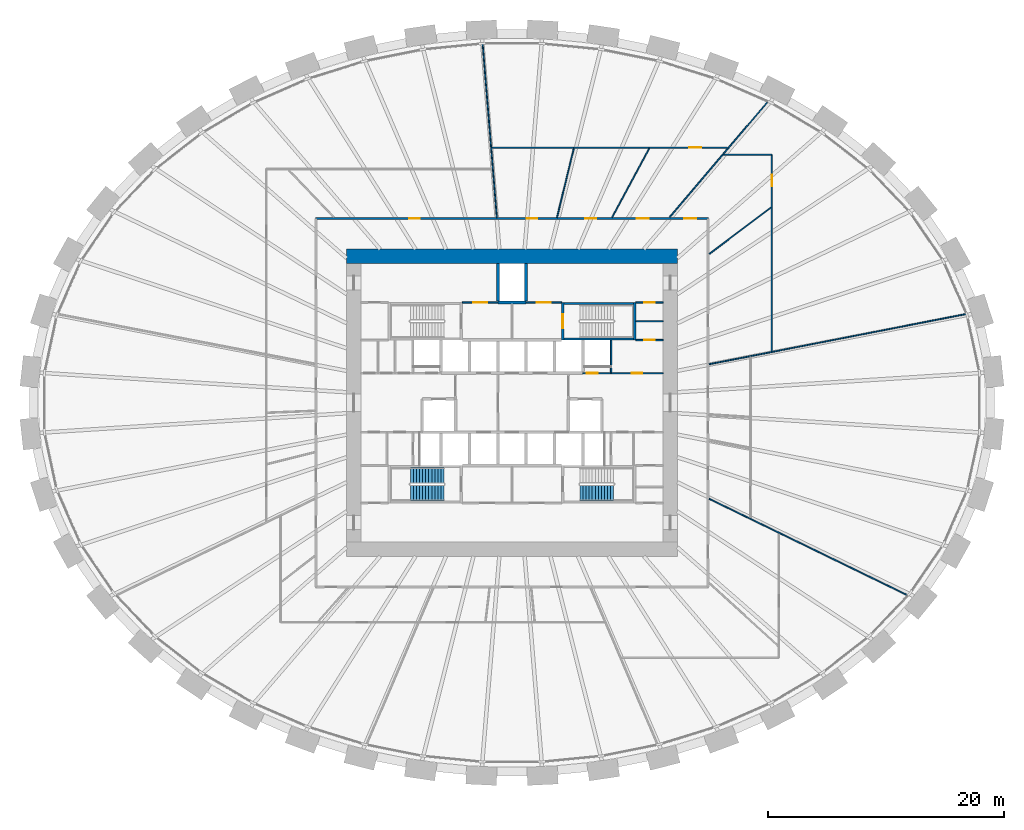
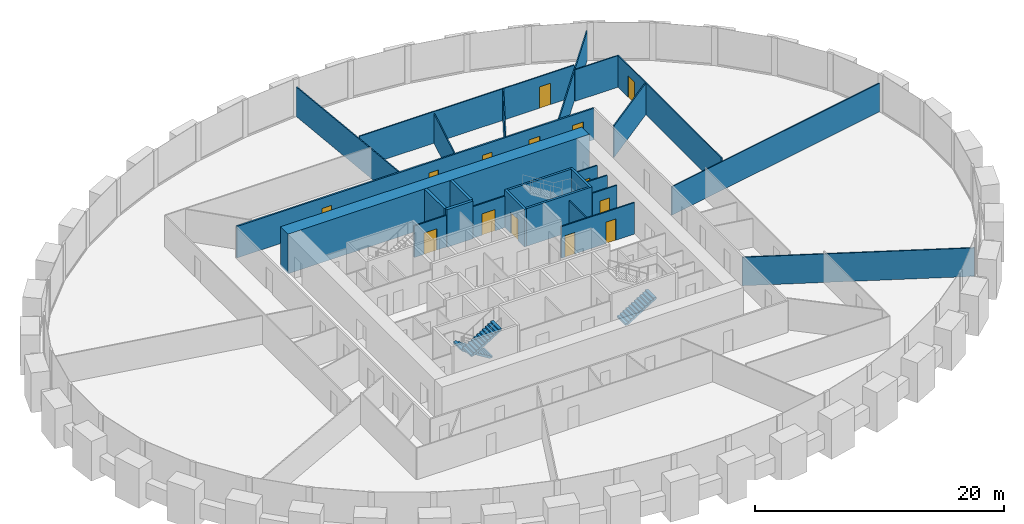
# One storey, part 9 of 11: 26 walls, 14 doors, 3 stair flights, 14 openings, 2 elements without a shape of their own.
"""IFC4 building model written with IfcOpenShell, lengths in metres."""

from ifc_helpers import new_model, si_unit, direction, frame, frame_2d, origin, place, context, subcontext, project, spatial, polyline, rectangle, outline, extrude, source, transform, mapped, material, layer, layer_set, type_object, element, fill, aggregate, save


model = new_model("IFC4")

# Units and contexts
model_context = context("Model", 3, precision=1e-05, world=origin(), true_north=direction((0.0, 1.0)))
body_context = subcontext(model_context, "Body", "Model", "MODEL_VIEW")
ifc_project = project(units=[si_unit("LENGTHUNIT", "METRE"), si_unit("AREAUNIT", "SQUARE_METRE"), si_unit("VOLUMEUNIT", "CUBIC_METRE"), si_unit("PLANEANGLEUNIT", "RADIAN"), si_unit("MASSUNIT", "GRAM", prefix="KILO")], contexts=[model_context])

# Site, building, storey
site_placement = place(None, origin())
site = spatial("IfcSite", under=ifc_project, at=site_placement, CompositionType="ELEMENT")
building_placement = place(site_placement, origin())
building = spatial("IfcBuilding", under=site, at=building_placement, Name="Embergate Tower", CompositionType="ELEMENT")
storey_placement = place(building_placement, frame((0.0, 0.0, 69.800048828125)))
storey = spatial("IfcBuildingStorey", under=building, at=storey_placement, Name="L13", CompositionType="ELEMENT", Elevation=69.800048828125)

# Walls
ifc_material_1 = material(Name="Concrete C80", Category="concrete")
ifc_layer_1 = layer(ifc_material_1, 1.199951171875)
ifc_layer_set_1 = layer_set([ifc_layer_1], Name="Concrete C80")
wall_type_1 = type_object("IfcWallType", Name="Core outer wall C80 1200", PredefinedType="SHEAR", material=ifc_layer_set_1)
shared_shape_1 = source(origin(), body_context, "Body", "SweptSolid", [
    extrude(rectangle(XDim=28.0, YDim=1.199951171875, at=frame_2d((14.0, 0.0))), origin(), (0.0, 0.0, 1.0), 3.89990234375),
])
wall_1_placement = place(storey_placement, frame((-14.0, 12.39990234375, -0.199951171875), z_axis=(0.0, 0.0, 1.0), x_axis=(1.0, 0.0, 0.0)))
element("IfcWall", 1, at=wall_1_placement, inside=storey, type_object=wall_type_1, Name="CW-L13-N", PredefinedType="SHEAR", context=body_context, shape_type="MappedRepresentation", body=[
    mapped(shared_shape_1, transform((0.0, 0.0, 0.0))),
])
ifc_material_2 = material(Name="Concrete C50", Category="concrete")
ifc_layer_2 = layer(ifc_material_2, 0.199951171875)
ifc_layer_set_2 = layer_set([ifc_layer_2], Name="Concrete C50")
wall_type_2 = type_object("IfcWallType", Name="Stair enclosure wall reinforced concrete 250", PredefinedType="SHEAR", material=ifc_layer_set_2)
shared_shape_2 = source(origin(), body_context, "Body", "SweptSolid", [
    extrude(rectangle(XDim=6.300048828125, YDim=0.199951171875, at=frame_2d((3.14990234375, 0.0))), origin(), (0.0, 0.0, 1.0), 3.699951171875),
])
for number, where, z_axis, x_axis, name in (
    (2, (10.5, 5.39990234375, 0.0), (0.0, 0.0, 1.0), (-1.0, 0.0, 0.0), "SE-1 wall"),
    (3, (10.5, 8.39990234375, 0.0), (0.0, 0.0, 1.0), (-1.0, 0.0, 0.0), "SE-1 wall"),
):
    element("IfcWall", number, at=place(storey_placement, frame(where, z_axis=z_axis, x_axis=x_axis)), inside=storey, type_object=wall_type_2, Name=name, PredefinedType="SHEAR", context=body_context, shape_type="MappedRepresentation", body=[
        mapped(shared_shape_2, transform((0.0, 0.0, 0.0))),
    ])

# Wall, opening, door
shared_shape_3 = source(origin(), body_context, "Body", "SweptSolid", [
    extrude(rectangle(XDim=3.199951171875, YDim=0.199951171875, at=frame_2d((1.60009765625, 0.0))), origin(), (0.0, 0.0, 1.0), 3.699951171875),
])
wall_2_placement = place(storey_placement, frame((4.300048828125, 8.5, 0.0), z_axis=(0.0, 0.0, 1.0), x_axis=(0.0, -1.0, 0.0)))
wall_2 = element("IfcWall", 4, at=wall_2_placement, inside=storey, type_object=wall_type_2, Name="SE-1 wall", PredefinedType="SHEAR", context=body_context, shape_type="MappedRepresentation", body=[
    mapped(shared_shape_3, transform((0.0, 0.0, 0.0))),
])
shared_shape_4 = source(origin(), body_context, "Body", "SweptSolid", [
    extrude(rectangle(XDim=1.199951171875, YDim=2.10009765625, at=frame_2d((0.60009765625, 1.050048828125))), frame((0.0, 0.10986328125, 0.0), z_axis=(0.0, -1.0, 0.0), x_axis=(1.0, 0.0, 0.0)), (0.0, 0.0, 1.0), 0.219970703125),
])
opening_1_placement = place(wall_2_placement, frame((1.0, 0.0, 0.0)))
opening_1 = element("IfcOpeningElement", 5, at=opening_1_placement, cuts=wall_2, Name="Opening IF-2", PredefinedType="OPENING", context=body_context, shape_type="MappedRepresentation", body=[
    mapped(shared_shape_4, transform((0.0, 0.0, 0.0))),
])
ifc_material_3 = material(Name="Stair enclosure door 1200")
door_type_1 = type_object("IfcDoorType", Name="Stair enclosure door 1200", OperationType="SINGLE_SWING_LEFT", PredefinedType="DOOR", material=ifc_material_3)
shared_shape_5 = source(origin(), body_context, "Body", "SweptSolid", [
    extrude(rectangle(XDim=1.199951171875, YDim=2.10009765625, at=frame_2d((0.60009765625, 1.050048828125))), frame((0.0, 0.02490234375, 0.0), z_axis=(0.0, -1.0, 0.0), x_axis=(1.0, 0.0, 0.0)), (0.0, 0.0, 1.0), 0.050048828125),
])
door_1_placement = place(opening_1_placement, origin())
door_1 = element("IfcDoor", 6, at=door_1_placement, inside=storey, type_object=door_type_1, Name="IF-2 door", OperationType="SINGLE_SWING_RIGHT", OverallHeight=2.10009765625, OverallWidth=1.199951171875, PredefinedType="DOOR", context=body_context, shape_type="MappedRepresentation", body=[
    mapped(shared_shape_5, transform((0.0, 0.0, 0.0))),
])
fill(opening_1, door_1)

# Walls
wall_3_placement = place(storey_placement, frame((10.39990234375, 5.300048828125, 0.0), z_axis=(0.0, 0.0, 1.0), x_axis=(0.0, 1.0, 0.0)))
element("IfcWall", 7, at=wall_3_placement, inside=storey, type_object=wall_type_2, Name="SE-1 wall", PredefinedType="SHEAR", context=body_context, shape_type="MappedRepresentation", body=[
    mapped(shared_shape_3, transform((0.0, 0.0, 0.0))),
])
ifc_layer_3 = layer(ifc_material_2, 0.25)
ifc_layer_set_3 = layer_set([ifc_layer_3], Name="Concrete C50")
wall_type_3 = type_object("IfcWallType", Name="Hoistway wall reinforced concrete 250", PredefinedType="SHEAR", material=ifc_layer_set_3)
shared_shape_6 = source(origin(), body_context, "Body", "SweptSolid", [
    extrude(rectangle(XDim=2.39990234375, YDim=0.25, at=frame_2d((1.199951171875, 0.0))), origin(), (0.0, 0.0, 1.0), 3.699951171875),
])
wall_4_placement = place(storey_placement, frame((1.199951171875, 8.5, 0.0), z_axis=(0.0, 0.0, 1.0), x_axis=(-1.0, 0.0, 0.0)))
element("IfcWall", 8, at=wall_4_placement, inside=storey, type_object=wall_type_3, Name="HW-1 wall", PredefinedType="SHEAR", context=body_context, shape_type="MappedRepresentation", body=[
    mapped(shared_shape_6, transform((0.0, 0.0, 0.0))),
])
shared_shape_7 = source(origin(), body_context, "Body", "SweptSolid", [
    extrude(rectangle(XDim=3.175048828125, YDim=0.25, at=frame_2d((1.58740234375, 0.0))), origin(), (0.0, 0.0, 1.0), 3.699951171875),
])
for number, where, z_axis, x_axis, name in (
    (9, (-1.199951171875, 8.625, 0.0), (0.0, 0.0, 1.0), (0.0, 1.0, 0.0), "HW-1 wall"),
    (10, (1.199951171875, 11.800048828125, 0.0), (0.0, 0.0, 1.0), (0.0, -1.0, 0.0), "HW-1 wall"),
):
    element("IfcWall", number, at=place(storey_placement, frame(where, z_axis=z_axis, x_axis=x_axis)), inside=storey, type_object=wall_type_3, Name=name, PredefinedType="SHEAR", context=body_context, shape_type="MappedRepresentation", body=[
        mapped(shared_shape_7, transform((0.0, 0.0, 0.0))),
    ])

# Wall, openings, doors
ifc_material_4 = material(Name="Core partition blockwork 120")
ifc_layer_4 = layer(ifc_material_4, 0.1201171875)
ifc_layer_set_4 = layer_set([ifc_layer_4], Name="Core partition blockwork 120")
wall_type_4 = type_object("IfcWallType", Name="Core partition blockwork 120", PredefinedType="PARTITIONING", material=ifc_layer_set_4)
shared_shape_8 = source(origin(), body_context, "Body", "SweptSolid", [
    extrude(rectangle(XDim=6.800048828125, YDim=0.1201171875, at=frame_2d((3.39990234375, 0.0))), origin(), (0.0, 0.0, 1.0), 3.099853515625),
])
wall_5_placement = place(storey_placement, frame((6.0, 2.5, 0.0), z_axis=(0.0, 0.0, 1.0), x_axis=(1.0, 0.0, 0.0)))
wall_5 = element("IfcWall", 11, at=wall_5_placement, inside=storey, type_object=wall_type_4, Name="IP-3 wall", PredefinedType="PARTITIONING", context=body_context, shape_type="MappedRepresentation", body=[
    mapped(shared_shape_8, transform((0.0, 0.0, 0.0))),
])
shared_shape_9 = source(origin(), body_context, "Body", "SweptSolid", [
    extrude(rectangle(XDim=0.89990234375, YDim=2.10009765625, at=frame_2d((0.449951171875, 1.050048828125))), frame((0.0, 0.070068359375, 0.0), z_axis=(0.0, -1.0, 0.0), x_axis=(1.0, 0.0, 0.0)), (0.0, 0.0, 1.0), 0.14013671875),
])
opening_2_placement = place(wall_5_placement, frame((0.35009765625, 0.0, 0.0)))
opening_2 = element("IfcOpeningElement", 12, at=opening_2_placement, cuts=wall_5, Name="Opening ID-1", PredefinedType="OPENING", context=body_context, shape_type="MappedRepresentation", body=[
    mapped(shared_shape_9, transform((0.0, 0.0, 0.0))),
])
opening_3_placement = place(wall_5_placement, frame((4.14990234375, 0.0, 0.0)))
opening_3 = element("IfcOpeningElement", 13, at=opening_3_placement, cuts=wall_5, Name="Opening ID-1", PredefinedType="OPENING", context=body_context, shape_type="MappedRepresentation", body=[
    mapped(shared_shape_9, transform((0.0, 0.0, 0.0))),
])
ifc_material_5 = material(Name="Interior door 900")
door_type_2 = type_object("IfcDoorType", Name="Interior door 900", OperationType="SINGLE_SWING_LEFT", PredefinedType="DOOR", material=ifc_material_5)
shared_shape_10 = source(origin(), body_context, "Body", "SweptSolid", [
    extrude(rectangle(XDim=0.89990234375, YDim=2.10009765625, at=frame_2d((0.449951171875, 1.050048828125))), frame((0.0, 0.02490234375, 0.0), z_axis=(0.0, -1.0, 0.0), x_axis=(1.0, 0.0, 0.0)), (0.0, 0.0, 1.0), 0.050048828125),
])
door_2_placement = place(opening_2_placement, origin())
door_2 = element("IfcDoor", 14, at=door_2_placement, inside=storey, type_object=door_type_2, Name="ID-1 door", OperationType="SINGLE_SWING_RIGHT", OverallHeight=2.10009765625, OverallWidth=0.89990234375, PredefinedType="DOOR", context=body_context, shape_type="MappedRepresentation", body=[
    mapped(shared_shape_10, transform((0.0, 0.0, 0.0))),
])
fill(opening_2, door_2)
door_3_placement = place(opening_3_placement, origin())
door_3 = element("IfcDoor", 15, at=door_3_placement, inside=storey, type_object=door_type_2, Name="ID-1 door", OperationType="SINGLE_SWING_LEFT", OverallHeight=2.10009765625, OverallWidth=0.89990234375, PredefinedType="DOOR", context=body_context, shape_type="MappedRepresentation", body=[
    mapped(shared_shape_10, transform((0.0, 0.0, 0.0))),
])
fill(opening_3, door_3)

# Wall
shared_shape_11 = source(origin(), body_context, "Body", "SweptSolid", [
    extrude(rectangle(XDim=2.739990234375, YDim=0.1201171875, at=frame_2d((1.3701171875, 0.0))), origin(), (0.0, 0.0, 1.0), 3.099853515625),
])
wall_6_placement = place(storey_placement, frame((8.39990234375, 2.56005859375, 0.0), z_axis=(0.0, 0.0, 1.0), x_axis=(0.0, 1.0, 0.0)))
element("IfcWall", 16, at=wall_6_placement, inside=storey, type_object=wall_type_4, Name="IP-3 wall", PredefinedType="PARTITIONING", context=body_context, shape_type="MappedRepresentation", body=[
    mapped(shared_shape_11, transform((0.0, 0.0, 0.0))),
])

# Wall, opening, door
shared_shape_12 = source(origin(), body_context, "Body", "SweptSolid", [
    extrude(rectangle(XDim=3.0, YDim=0.1201171875, at=frame_2d((1.5, 0.0))), origin(), (0.0, 0.0, 1.0), 3.099853515625),
])
wall_7_placement = place(storey_placement, frame((-1.199951171875, 8.5, 0.0), z_axis=(0.0, 0.0, 1.0), x_axis=(-1.0, 0.0, 0.0)))
wall_7 = element("IfcWall", 17, at=wall_7_placement, inside=storey, type_object=wall_type_4, Name="IP-3 wall", PredefinedType="PARTITIONING", context=body_context, shape_type="MappedRepresentation", body=[
    mapped(shared_shape_12, transform((0.0, 0.0, 0.0))),
])
shared_shape_13 = source(origin(), body_context, "Body", "SweptSolid", [
    extrude(rectangle(XDim=1.199951171875, YDim=2.10009765625, at=frame_2d((0.60009765625, 1.050048828125))), frame((0.0, 0.070068359375, 0.0), z_axis=(0.0, -1.0, 0.0), x_axis=(1.0, 0.0, 0.0)), (0.0, 0.0, 1.0), 0.14013671875),
])
opening_4_placement = place(wall_7_placement, frame((0.89990234375, 0.0, 0.0)))
opening_4 = element("IfcOpeningElement", 18, at=opening_4_placement, cuts=wall_7, Name="Opening IF-3f", PredefinedType="OPENING", context=body_context, shape_type="MappedRepresentation", body=[
    mapped(shared_shape_13, transform((0.0, 0.0, 0.0))),
])
ifc_material_6 = material(Name="Lobby fire door pair 1200")
door_type_3 = type_object("IfcDoorType", Name="Lobby fire door pair 1200", OperationType="DOUBLE_DOOR_SINGLE_SWING", PredefinedType="DOOR", material=ifc_material_6)
door_4_placement = place(opening_4_placement, origin())
door_4 = element("IfcDoor", 19, at=door_4_placement, inside=storey, type_object=door_type_3, Name="IF-3 door", OperationType="DOUBLE_DOOR_SINGLE_SWING", OverallHeight=2.10009765625, OverallWidth=1.199951171875, PredefinedType="DOOR", context=body_context, shape_type="MappedRepresentation", body=[
    mapped(shared_shape_5, transform((0.0, 0.0, 0.0))),
])
fill(opening_4, door_4)

wall_8_placement = place(storey_placement, frame((4.199951171875, 8.5, 0.0), z_axis=(0.0, 0.0, 1.0), x_axis=(-1.0, 0.0, 0.0)))
wall_8 = element("IfcWall", 20, at=wall_8_placement, inside=storey, type_object=wall_type_4, Name="IP-3 wall", PredefinedType="PARTITIONING", context=body_context, shape_type="MappedRepresentation", body=[
    mapped(shared_shape_12, transform((0.0, 0.0, 0.0))),
])
opening_5_placement = place(wall_8_placement, frame((0.89990234375, 0.0, 0.0)))
opening_5 = element("IfcOpeningElement", 21, at=opening_5_placement, cuts=wall_8, Name="Opening IF-3f", PredefinedType="OPENING", context=body_context, shape_type="MappedRepresentation", body=[
    mapped(shared_shape_13, transform((0.0, 0.0, 0.0))),
])
door_5_placement = place(opening_5_placement, origin())
door_5 = element("IfcDoor", 22, at=door_5_placement, inside=storey, type_object=door_type_3, Name="IF-3 door", OperationType="DOUBLE_DOOR_SINGLE_SWING", OverallHeight=2.10009765625, OverallWidth=1.199951171875, PredefinedType="DOOR", context=body_context, shape_type="MappedRepresentation", body=[
    mapped(shared_shape_5, transform((0.0, 0.0, 0.0))),
])
fill(opening_5, door_5)

shared_shape_14 = source(origin(), body_context, "Body", "SweptSolid", [
    extrude(rectangle(XDim=2.300048828125, YDim=0.1201171875, at=frame_2d((1.14990234375, 0.0))), origin(), (0.0, 0.0, 1.0), 3.099853515625),
])
wall_9_placement = place(storey_placement, frame((10.5, 8.5, 0.0), z_axis=(0.0, 0.0, 1.0), x_axis=(1.0, 0.0, 0.0)))
wall_9 = element("IfcWall", 23, at=wall_9_placement, inside=storey, type_object=wall_type_4, Name="IP-3 wall", PredefinedType="PARTITIONING", context=body_context, shape_type="MappedRepresentation", body=[
    mapped(shared_shape_14, transform((0.0, 0.0, 0.0))),
])
opening_6_placement = place(wall_9_placement, frame((0.699951171875, 0.0, 0.0)))
opening_6 = element("IfcOpeningElement", 24, at=opening_6_placement, cuts=wall_9, Name="Opening ID-1", PredefinedType="OPENING", context=body_context, shape_type="MappedRepresentation", body=[
    mapped(shared_shape_9, transform((0.0, 0.0, 0.0))),
])
door_6_placement = place(opening_6_placement, origin())
door_6 = element("IfcDoor", 25, at=door_6_placement, inside=storey, type_object=door_type_2, Name="ID-1 door", OperationType="SINGLE_SWING_LEFT", OverallHeight=2.10009765625, OverallWidth=0.89990234375, PredefinedType="DOOR", context=body_context, shape_type="MappedRepresentation", body=[
    mapped(shared_shape_10, transform((0.0, 0.0, 0.0))),
])
fill(opening_6, door_6)

wall_10_placement = place(storey_placement, frame((12.800048828125, 5.300048828125, 0.0), z_axis=(0.0, 0.0, 1.0), x_axis=(-1.0, 0.0, 0.0)))
wall_10 = element("IfcWall", 26, at=wall_10_placement, inside=storey, type_object=wall_type_4, Name="IP-3 wall", PredefinedType="PARTITIONING", context=body_context, shape_type="MappedRepresentation", body=[
    mapped(shared_shape_14, transform((0.0, 0.0, 0.0))),
])
opening_7_placement = place(wall_10_placement, frame((0.699951171875, 0.0, 0.0)))
opening_7 = element("IfcOpeningElement", 27, at=opening_7_placement, cuts=wall_10, Name="Opening ID-1", PredefinedType="OPENING", context=body_context, shape_type="MappedRepresentation", body=[
    mapped(shared_shape_9, transform((0.0, 0.0, 0.0))),
])
door_7_placement = place(opening_7_placement, origin())
door_7 = element("IfcDoor", 28, at=door_7_placement, inside=storey, type_object=door_type_2, Name="ID-1 door", OperationType="SINGLE_SWING_RIGHT", OverallHeight=2.10009765625, OverallWidth=0.89990234375, PredefinedType="DOOR", context=body_context, shape_type="MappedRepresentation", body=[
    mapped(shared_shape_10, transform((0.0, 0.0, 0.0))),
])
fill(opening_7, door_7)

# Wall
wall_11_placement = place(storey_placement, frame((12.800048828125, 6.89990234375, 0.0), z_axis=(0.0, 0.0, 1.0), x_axis=(-1.0, 0.0, 0.0)))
element("IfcWall", 29, at=wall_11_placement, inside=storey, type_object=wall_type_4, Name="IP-3 wall", PredefinedType="PARTITIONING", context=body_context, shape_type="MappedRepresentation", body=[
    mapped(shared_shape_14, transform((0.0, 0.0, 0.0))),
])

# Wall, openings, doors
ifc_material_7 = material(Name="Corridor wall dry-lined 150")
ifc_layer_5 = layer(ifc_material_7, 0.14990234375)
ifc_layer_set_5 = layer_set([ifc_layer_5], Name="Corridor wall dry-lined 150")
wall_type_5 = type_object("IfcWallType", Name="Corridor wall dry-lined 150", PredefinedType="PARTITIONING", material=ifc_layer_set_5)
shared_shape_15 = source(origin(), body_context, "Body", "SweptSolid", [
    extrude(rectangle(XDim=33.2001953125, YDim=0.14990234375, at=frame_2d((16.60009765625, 0.0))), origin(), (0.0, 0.0, 1.0), 3.099853515625),
])
wall_12_placement = place(storey_placement, frame((-16.60009765625, 15.60009765625, 0.0), z_axis=(0.0, 0.0, 1.0), x_axis=(1.0, 0.0, 0.0)))
wall_12 = element("IfcWall", 30, at=wall_12_placement, inside=storey, type_object=wall_type_5, Name="IP-2 wall", PredefinedType="PARTITIONING", context=body_context, shape_type="MappedRepresentation", body=[
    mapped(shared_shape_15, transform((0.0, 0.0, 0.0))),
])
shared_shape_16 = source(origin(), body_context, "Body", "SweptSolid", [
    extrude(rectangle(XDim=1.0, YDim=2.10009765625, at=frame_2d((0.5, 1.050048828125))), frame((0.0, 0.0849609375, 0.0), z_axis=(0.0, -1.0, 0.0), x_axis=(1.0, 0.0, 0.0)), (0.0, 0.0, 1.0), 0.169921875),
])
opening_8_placement = place(wall_12_placement, frame((31.200927734375, 0.0, 0.0)))
opening_8 = element("IfcOpeningElement", 31, at=opening_8_placement, cuts=wall_12, Name="Opening ID-2", PredefinedType="OPENING", context=body_context, shape_type="MappedRepresentation", body=[
    mapped(shared_shape_16, transform((0.0, 0.0, 0.0))),
])
opening_9_placement = place(wall_12_placement, frame((27.162109375, 0.0, 0.0)))
opening_9 = element("IfcOpeningElement", 32, at=opening_9_placement, cuts=wall_12, Name="Opening ID-2", PredefinedType="OPENING", context=body_context, shape_type="MappedRepresentation", body=[
    mapped(shared_shape_16, transform((0.0, 0.0, 0.0))),
])
shared_shape_17 = source(origin(), body_context, "Body", "SweptSolid", [
    extrude(rectangle(XDim=0.89990234375, YDim=2.10009765625, at=frame_2d((0.449951171875, 1.050048828125))), frame((0.0, 0.0849609375, 0.0), z_axis=(0.0, -1.0, 0.0), x_axis=(1.0, 0.0, 0.0)), (0.0, 0.0, 1.0), 0.169921875),
])
opening_10_placement = place(wall_12_placement, frame((22.818115234375, 0.0, 0.0)))
opening_10 = element("IfcOpeningElement", 33, at=opening_10_placement, cuts=wall_12, Name="Opening IF-1c", PredefinedType="OPENING", context=body_context, shape_type="MappedRepresentation", body=[
    mapped(shared_shape_17, transform((0.0, 0.0, 0.0))),
])
opening_11_placement = place(wall_12_placement, frame((17.8359375, 0.0, 0.0)))
opening_11 = element("IfcOpeningElement", 34, at=opening_11_placement, cuts=wall_12, Name="Opening IF-1c", PredefinedType="OPENING", context=body_context, shape_type="MappedRepresentation", body=[
    mapped(shared_shape_17, transform((0.0, 0.0, 0.0))),
])
opening_12_placement = place(wall_12_placement, frame((7.90087890625, 0.0, 0.0)))
opening_12 = element("IfcOpeningElement", 35, at=opening_12_placement, cuts=wall_12, Name="Opening IF-1c", PredefinedType="OPENING", context=body_context, shape_type="MappedRepresentation", body=[
    mapped(shared_shape_17, transform((0.0, 0.0, 0.0))),
])
ifc_material_8 = material(Name="Escape fire door 900")
door_type_4 = type_object("IfcDoorType", Name="Escape fire door 900", OperationType="SINGLE_SWING_LEFT", PredefinedType="DOOR", material=ifc_material_8)
door_8_placement = place(opening_10_placement, origin())
door_8 = element("IfcDoor", 36, at=door_8_placement, inside=storey, type_object=door_type_4, Name="IF-1 door", OperationType="SINGLE_SWING_RIGHT", OverallHeight=2.10009765625, OverallWidth=0.89990234375, PredefinedType="DOOR", context=body_context, shape_type="MappedRepresentation", body=[
    mapped(shared_shape_10, transform((0.0, 0.0, 0.0))),
])
fill(opening_10, door_8)
door_9_placement = place(opening_11_placement, origin())
door_9 = element("IfcDoor", 37, at=door_9_placement, inside=storey, type_object=door_type_4, Name="IF-1 door", OperationType="SINGLE_SWING_RIGHT", OverallHeight=2.10009765625, OverallWidth=0.89990234375, PredefinedType="DOOR", context=body_context, shape_type="MappedRepresentation", body=[
    mapped(shared_shape_10, transform((0.0, 0.0, 0.0))),
])
fill(opening_11, door_9)
door_10_placement = place(opening_12_placement, origin())
door_10 = element("IfcDoor", 38, at=door_10_placement, inside=storey, type_object=door_type_4, Name="IF-1 door", OperationType="SINGLE_SWING_LEFT", OverallHeight=2.10009765625, OverallWidth=0.89990234375, PredefinedType="DOOR", context=body_context, shape_type="MappedRepresentation", body=[
    mapped(shared_shape_10, transform((0.0, 0.0, 0.0))),
])
fill(opening_12, door_10)
ifc_material_9 = material(Name="Interior door 1000")
door_type_5 = type_object("IfcDoorType", Name="Interior door 1000", OperationType="SINGLE_SWING_LEFT", PredefinedType="DOOR", material=ifc_material_9)
shared_shape_18 = source(origin(), body_context, "Body", "SweptSolid", [
    extrude(rectangle(XDim=1.0, YDim=2.10009765625, at=frame_2d((0.5, 1.050048828125))), frame((0.0, 0.02490234375, 0.0), z_axis=(0.0, -1.0, 0.0), x_axis=(1.0, 0.0, 0.0)), (0.0, 0.0, 1.0), 0.050048828125),
])
door_11_placement = place(opening_8_placement, origin())
door_11 = element("IfcDoor", 39, at=door_11_placement, inside=storey, type_object=door_type_5, Name="ID-2 door", OperationType="SINGLE_SWING_LEFT", OverallHeight=2.10009765625, OverallWidth=1.0, PredefinedType="DOOR", context=body_context, shape_type="MappedRepresentation", body=[
    mapped(shared_shape_18, transform((0.0, 0.0, 0.0))),
])
fill(opening_8, door_11)
door_12_placement = place(opening_9_placement, origin())
door_12 = element("IfcDoor", 40, at=door_12_placement, inside=storey, type_object=door_type_5, Name="ID-2 door", OperationType="SINGLE_SWING_RIGHT", OverallHeight=2.10009765625, OverallWidth=1.0, PredefinedType="DOOR", context=body_context, shape_type="MappedRepresentation", body=[
    mapped(shared_shape_18, transform((0.0, 0.0, 0.0))),
])
fill(opening_9, door_12)

# Walls
ifc_material_10 = material(Name="Partition dry-lined 100")
ifc_layer_6 = layer(ifc_material_10, 0.10009765625)
ifc_layer_set_6 = layer_set([ifc_layer_6], Name="Partition dry-lined 100")
wall_type_6 = type_object("IfcWallType", Name="Partition dry-lined 100", PredefinedType="PARTITIONING", material=ifc_layer_set_6)
shared_shape_19 = source(origin(), body_context, "Body", "SweptSolid", [
    extrude(rectangle(XDim=18.715087890625, YDim=0.10009765625, at=frame_2d((9.357421875, 0.0))), origin(), (0.0, 0.0, 1.0), 2.800048828125),
])
wall_13_placement = place(storey_placement, frame((33.52392578125, -16.321044921875, 0.0), z_axis=(0.0, 0.0, 1.0), x_axis=(-0.899107311698, 0.437728274219, 0.0)))
element("IfcWall", 41, at=wall_13_placement, inside=storey, type_object=wall_type_6, Name="IP-1 wall", PredefinedType="PARTITIONING", context=body_context, shape_type="MappedRepresentation", body=[
    mapped(shared_shape_19, transform((0.0, 0.0, 0.0))),
])
shared_shape_20 = source(origin(), body_context, "Body", "SweptSolid", [
    extrude(rectangle(XDim=22.212158203125, YDim=0.10009765625, at=frame_2d((11.10595703125, 0.0))), origin(), (0.0, 0.0, 1.0), 2.800048828125),
])
wall_14_placement = place(storey_placement, frame((38.485107421875, 7.51904296875, 0.0), z_axis=(0.0, 0.0, 1.0), x_axis=(-0.981445163178, -0.191743035531, 0.0)))
element("IfcWall", 42, at=wall_14_placement, inside=storey, type_object=wall_type_6, Name="IP-1 wall", PredefinedType="PARTITIONING", context=body_context, shape_type="MappedRepresentation", body=[
    mapped(shared_shape_20, transform((0.0, 0.0, 0.0))),
])
shared_shape_21 = source(origin(), body_context, "Body", "SweptSolid", [
    extrude(rectangle(XDim=6.53173828125, YDim=0.10009765625, at=frame_2d((3.265869140625, 0.0))), origin(), (0.0, 0.0, 1.0), 3.099853515625),
])
wall_15_placement = place(storey_placement, frame((16.705078125, 12.597900390625, 0.0), z_axis=(0.0, 0.0, 1.0), x_axis=(0.798382397051, 0.602150768562, 0.0)))
element("IfcWall", 43, at=wall_15_placement, inside=storey, type_object=wall_type_6, Name="IP-1 wall", PredefinedType="PARTITIONING", context=body_context, shape_type="MappedRepresentation", body=[
    mapped(shared_shape_21, transform((0.0, 0.0, 0.0))),
])

# Wall, opening, door
shared_shape_22 = source(origin(), body_context, "Body", "SweptSolid", [
    extrude(rectangle(XDim=16.64111328125, YDim=0.10009765625, at=frame_2d((8.320556640625, 0.0))), origin(), (0.0, 0.0, 1.0), 3.099853515625),
])
wall_16_placement = place(storey_placement, frame((22.0, 21.0, 0.0), z_axis=(0.0, 0.0, 1.0), x_axis=(0.0, -1.0, 0.0)))
wall_16 = element("IfcWall", 44, at=wall_16_placement, inside=storey, type_object=wall_type_6, Name="IP-1 wall", PredefinedType="PARTITIONING", context=body_context, shape_type="MappedRepresentation", body=[
    mapped(shared_shape_22, transform((0.0, 0.0, 0.0))),
])
shared_shape_23 = source(origin(), body_context, "Body", "SweptSolid", [
    extrude(rectangle(XDim=1.0, YDim=2.10009765625, at=frame_2d((0.5, 1.050048828125))), frame((0.0, 0.06005859375, 0.0), z_axis=(0.0, -1.0, 0.0), x_axis=(1.0, 0.0, 0.0)), (0.0, 0.0, 1.0), 0.1201171875),
])
opening_13_placement = place(wall_16_placement, frame((1.676025390625, 0.0, 0.0)))
opening_13 = element("IfcOpeningElement", 45, at=opening_13_placement, cuts=wall_16, Name="Opening ID-2", PredefinedType="OPENING", context=body_context, shape_type="MappedRepresentation", body=[
    mapped(shared_shape_23, transform((0.0, 0.0, 0.0))),
])
door_13_placement = place(opening_13_placement, origin())
door_13 = element("IfcDoor", 46, at=door_13_placement, inside=storey, type_object=door_type_5, Name="ID-2 door", OperationType="SINGLE_SWING_LEFT", OverallHeight=2.10009765625, OverallWidth=1.0, PredefinedType="DOOR", context=body_context, shape_type="MappedRepresentation", body=[
    mapped(shared_shape_18, transform((0.0, 0.0, 0.0))),
])
fill(opening_13, door_13)

# Walls
shared_shape_24 = source(origin(), body_context, "Body", "SweptSolid", [
    extrude(rectangle(XDim=12.870849609375, YDim=0.10009765625, at=frame_2d((6.435546875, 0.0))), origin(), (0.0, 0.0, 1.0), 2.89990234375),
])
wall_17_placement = place(storey_placement, frame((13.344970703125, 15.70703125, 0.0), z_axis=(0.0, 0.0, 1.0), x_axis=(0.647435858612, 0.762119943962, 0.0)))
element("IfcWall", 47, at=wall_17_placement, inside=storey, type_object=wall_type_6, Name="IP-1 wall", PredefinedType="PARTITIONING", context=body_context, shape_type="MappedRepresentation", body=[
    mapped(shared_shape_24, transform((0.0, 0.0, 0.0))),
])
shared_shape_25 = source(origin(), body_context, "Body", "SweptSolid", [
    extrude(rectangle(XDim=4.050048828125, YDim=0.10009765625, at=frame_2d((2.02490234375, 0.0))), origin(), (0.0, 0.0, 1.0), 3.099853515625),
])
wall_18_placement = place(storey_placement, frame((17.949951171875, 21.0, 0.0), z_axis=(0.0, 0.0, 1.0), x_axis=(1.0, 0.0, 0.0)))
element("IfcWall", 48, at=wall_18_placement, inside=storey, type_object=wall_type_6, Name="IP-1 wall", PredefinedType="PARTITIONING", context=body_context, shape_type="MappedRepresentation", body=[
    mapped(shared_shape_25, transform((0.0, 0.0, 0.0))),
])
shared_shape_26 = source(origin(), body_context, "Body", "SweptSolid", [
    extrude(rectangle(XDim=6.62109375, YDim=0.10009765625, at=frame_2d((3.310546875, 0.0))), origin(), (0.0, 0.0, 1.0), 3.099853515625),
])
wall_19_placement = place(storey_placement, frame((8.471923828125, 15.698974609375, 0.0), z_axis=(0.0, 0.0, 1.0), x_axis=(0.474858262245, 0.88006228801, 0.0)))
element("IfcWall", 49, at=wall_19_placement, inside=storey, type_object=wall_type_6, Name="IP-1 wall", PredefinedType="PARTITIONING", context=body_context, shape_type="MappedRepresentation", body=[
    mapped(shared_shape_26, transform((0.0, 0.0, 0.0))),
])

# Wall, opening, door
shared_shape_27 = source(origin(), body_context, "Body", "SweptSolid", [
    extrude(rectangle(XDim=19.958984375, YDim=0.10009765625, at=frame_2d((9.9794921875, 0.0))), origin(), (0.0, 0.0, 1.0), 3.099853515625),
])
wall_20_placement = place(storey_placement, frame((-1.716064453125, 21.60009765625, 0.0), z_axis=(0.0, 0.0, 1.0), x_axis=(1.0, 0.0, 0.0)))
wall_20 = element("IfcWall", 50, at=wall_20_placement, inside=storey, type_object=wall_type_6, Name="IP-1 wall", PredefinedType="PARTITIONING", context=body_context, shape_type="MappedRepresentation", body=[
    mapped(shared_shape_27, transform((0.0, 0.0, 0.0))),
])
opening_14_placement = place(wall_20_placement, frame((16.7294921875, 0.0, 0.0)))
opening_14 = element("IfcOpeningElement", 51, at=opening_14_placement, cuts=wall_20, Name="Opening ID-2", PredefinedType="OPENING", context=body_context, shape_type="MappedRepresentation", body=[
    mapped(shared_shape_23, transform((0.0, 0.0, 0.0))),
])
door_14_placement = place(opening_14_placement, origin())
door_14 = element("IfcDoor", 52, at=door_14_placement, inside=storey, type_object=door_type_5, Name="ID-2 door", OperationType="SINGLE_SWING_RIGHT", OverallHeight=2.10009765625, OverallWidth=1.0, PredefinedType="DOOR", context=body_context, shape_type="MappedRepresentation", body=[
    mapped(shared_shape_18, transform((0.0, 0.0, 0.0))),
])
fill(opening_14, door_14)

# Walls
shared_shape_28 = source(origin(), body_context, "Body", "SweptSolid", [
    extrude(rectangle(XDim=6.021240234375, YDim=0.10009765625, at=frame_2d((3.0107421875, 0.0))), origin(), (0.0, 0.0, 1.0), 2.89990234375),
])
wall_21_placement = place(storey_placement, frame((3.81201171875, 15.68701171875, 0.0), z_axis=(0.0, 0.0, 1.0), x_axis=(0.236138442635, 0.971719422421, 0.0)))
element("IfcWall", 53, at=wall_21_placement, inside=storey, type_object=wall_type_6, Name="IP-1 wall", PredefinedType="PARTITIONING", context=body_context, shape_type="MappedRepresentation", body=[
    mapped(shared_shape_28, transform((0.0, 0.0, 0.0))),
])
shared_shape_29 = source(origin(), body_context, "Body", "SweptSolid", [
    extrude(rectangle(XDim=14.77392578125, YDim=0.10009765625, at=frame_2d((7.386962890625, 0.0))), origin(), (0.0, 0.0, 1.0), 2.89990234375),
])
wall_22_placement = place(storey_placement, frame((-1.281982421875, 15.675048828125, 0.0), z_axis=(0.0, 0.0, 1.0), x_axis=(-0.081501373949, 0.996673229321, 0.0)))
element("IfcWall", 54, at=wall_22_placement, inside=storey, type_object=wall_type_6, Name="IP-1 wall", PredefinedType="PARTITIONING", context=body_context, shape_type="MappedRepresentation", body=[
    mapped(shared_shape_29, transform((0.0, 0.0, 0.0))),
])

# Stair, stair flights
ifc_material_11 = material(Name="Exit stair")
stair_type = type_object("IfcStairType", Name="Exit stair", PredefinedType="HALF_TURN_STAIR", material=ifc_material_11)
stair_1_placement = place(storey_placement, origin())
stair_1 = element("IfcStair", 55, at=stair_1_placement, inside=storey, type_object=stair_type, Name="L13 Exit stair 3", PredefinedType="HALF_TURN_STAIR")
ifc_material_12 = material(Name="Concrete C40", Category="concrete")
stair_flight_type = type_object("IfcStairFlightType", Name="Stair flight reinforced concrete", PredefinedType="STRAIGHT", material=ifc_material_12)
shared_shape_30 = source(origin(), body_context, "Body", "SweptSolid", [
    extrude(outline(polyline([(0.0, 0.0), (0.0, 0.16259765625), (0.260009765625, 0.16259765625), (0.260009765625, 0.324951171875), (0.52001953125, 0.324951171875), (0.52001953125, 0.487548828125), (0.780029296875, 0.487548828125), (0.780029296875, 0.64990234375), (1.0400390625, 0.64990234375), (1.0400390625, 0.8125), (1.300048828125, 0.8125), (1.300048828125, 0.97509765625), (1.56005859375, 0.97509765625), (1.56005859375, 1.137451171875), (1.820068359375, 1.137451171875), (1.820068359375, 1.300048828125), (2.080078125, 1.300048828125), (2.080078125, 1.46240234375), (2.340087890625, 1.46240234375), (2.340087890625, 1.625), (2.60009765625, 1.625), (2.60009765625, 1.78759765625), (2.860107421875, 1.78759765625), (2.860107421875, 1.949951171875), (2.860107421875, 1.61083984375), (0.28271484375, 0.0), (0.0, 0.0)])), frame((0.0, 0.675048828125, 0.0), z_axis=(0.0, -1.0, 0.0), x_axis=(1.0, 0.0, 0.0)), (0.0, 0.0, 1.0), 1.35009765625),
])
stair_flight_1_placement = place(storey_placement, frame((-5.75, -6.175048828125, 0.0), z_axis=(0.0, 0.0, 1.0), x_axis=(-1.0, 0.0, 0.0)))
stair_flight_1 = element("IfcStairFlight", 56, at=stair_flight_1_placement, type_object=stair_flight_type, Name="ST3 flight 1", NumberOfRisers=12, NumberOfTreads=11, PredefinedType="STRAIGHT", RiserHeight=0.1625, TreadLength=0.26, context=body_context, shape_type="MappedRepresentation", body=[
    mapped(shared_shape_30, transform((0.0, 0.0, 0.0))),
])
stair_flight_2_placement = place(storey_placement, frame((-8.610107421875, -7.625, 1.949951171875), z_axis=(0.0, 0.0, 1.0), x_axis=(1.0, 0.0, 0.0)))
stair_flight_2 = element("IfcStairFlight", 57, at=stair_flight_2_placement, type_object=stair_flight_type, Name="ST3 flight 2", NumberOfRisers=12, NumberOfTreads=11, PredefinedType="STRAIGHT", RiserHeight=0.1625, TreadLength=0.26, context=body_context, shape_type="MappedRepresentation", body=[
    mapped(shared_shape_30, transform((0.0, 0.0, 0.0))),
])
aggregate(stair_1, [stair_flight_1, stair_flight_2])

# Stair, stair flight
stair_2_placement = place(storey_placement, origin())
stair_2 = element("IfcStair", 58, at=stair_2_placement, inside=storey, type_object=stair_type, Name="L13 Exit stair 4", PredefinedType="HALF_TURN_STAIR")
stair_flight_3_placement = place(storey_placement, frame((5.75, -7.625, 0.0), z_axis=(0.0, 0.0, 1.0), x_axis=(1.0, 0.0, 0.0)))
stair_flight_3 = element("IfcStairFlight", 59, at=stair_flight_3_placement, type_object=stair_flight_type, Name="ST4 flight 1", NumberOfRisers=12, NumberOfTreads=11, PredefinedType="STRAIGHT", RiserHeight=0.1625, TreadLength=0.26, context=body_context, shape_type="MappedRepresentation", body=[
    mapped(shared_shape_30, transform((0.0, 0.0, 0.0))),
])
aggregate(stair_2, [stair_flight_3])

save(model, "model.ifc")
